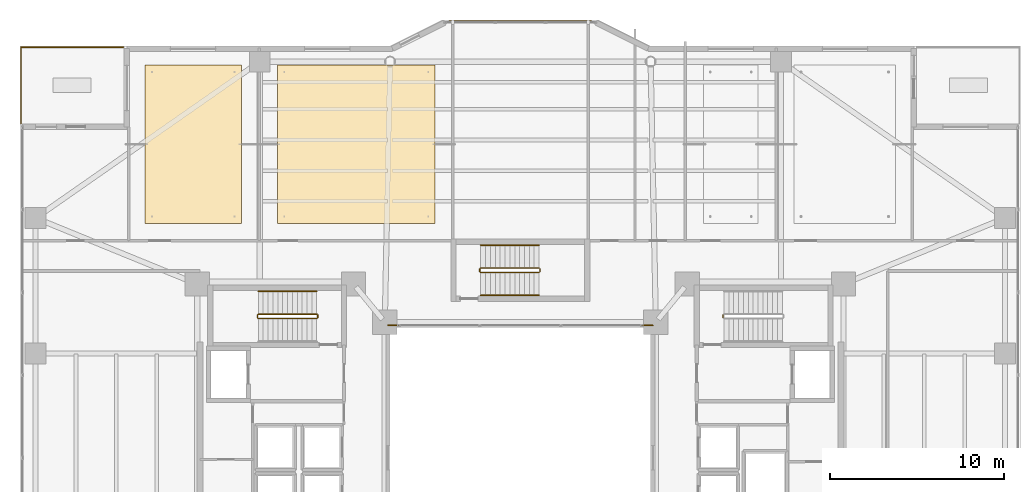
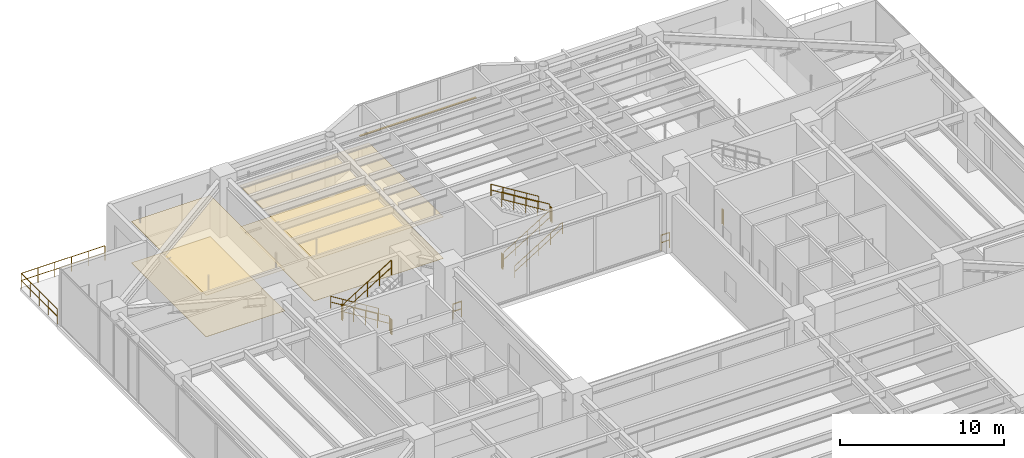
# One storey, part 38 of 39: 16 railings, 4 coverings, 1 shading device.
"""IFC4 building model written with IfcOpenShell, lengths in metres."""

from ifc_helpers import new_model, si_unit, direction, frame, origin, origin_2d, place, context, subcontext, project, spatial, polyline, rectangle, circle, outline, extrude, material, layer, layer_set, material_profile, profile_set, type_object, element, save


model = new_model("IFC4")

# Units and contexts
model_context = context("Model", 3, precision=1e-05, world=origin(), true_north=direction((0.0, 1.0)))
body_context = subcontext(model_context, "Body", "Model", "MODEL_VIEW")
ifc_project = project(units=[si_unit("LENGTHUNIT", "METRE"), si_unit("AREAUNIT", "SQUARE_METRE"), si_unit("VOLUMEUNIT", "CUBIC_METRE"), si_unit("PLANEANGLEUNIT", "RADIAN"), si_unit("MASSUNIT", "GRAM", prefix="KILO")], contexts=[model_context])

# Site, building, storey
site_placement = place(None, origin())
site = spatial("IfcSite", under=ifc_project, at=site_placement, CompositionType="ELEMENT")
building_placement = place(site_placement, origin())
building = spatial("IfcBuilding", under=site, at=building_placement, Name="Tarnavaz Court Tower", CompositionType="ELEMENT")
storey_placement = place(building_placement, frame((0.0, 0.0, 68.699951171875)))
storey = spatial("IfcBuildingStorey", under=building, at=storey_placement, Name="L18", CompositionType="ELEMENT", Elevation=68.699951171875)

# Coverings
ifc_material_1 = material(Name="Perforated Gypsum Acoustic Ceiling Tile", Category="masonry")
ifc_layer_1 = layer(ifc_material_1, 0.02490234375)
ifc_layer_set_1 = layer_set([ifc_layer_1], Name="Perforated Gypsum Acoustic Ceiling Tile")
covering_type_1 = type_object("IfcCoveringType", Name="CV-CEIL-AC", PredefinedType="CEILING", material=ifc_layer_set_1)
covering_1_placement = place(storey_placement, frame((0.0, 0.0, 3.080078125)))
element("IfcCovering", 1, at=covering_1_placement, inside=storey, type_object=covering_type_1, Name="L18 Sky Transfer Reception Concourse Suspended Acoustic Ceiling", PredefinedType="CEILING", context=body_context, shape_type="SweptSolid", body=[
    extrude(outline(polyline([(-21.60009765625, 13.5), (-16.047119140625, 13.5), (-16.047119140625, 22.60009765625), (-21.60009765625, 22.60009765625), (-21.60009765625, 13.5)])), origin(), (0.0, 0.0, 1.0), 0.02490234375),
])
covering_2_placement = place(storey_placement, frame((0.0, 0.0, 3.080078125)))
element("IfcCovering", 2, at=covering_2_placement, inside=storey, type_object=covering_type_1, Name="L18 Residents Reading Library Suspended Acoustic Ceiling", PredefinedType="CEILING", context=body_context, shape_type="SweptSolid", body=[
    extrude(outline(polyline([(-13.987060546875, 13.5), (-4.89990234375, 13.5), (-4.89990234375, 22.60009765625), (-13.987060546875, 22.60009765625), (-13.987060546875, 13.5)])), origin(), (0.0, 0.0, 1.0), 0.02490234375),
])
ifc_material_2 = material(Name="Glazed Khorasan Porcelain Floor Tile", Category="masonry")
ifc_layer_2 = layer(ifc_material_2, 0.02001953125)
ifc_layer_set_2 = layer_set([ifc_layer_2], Name="Glazed Khorasan Porcelain Floor Tile")
covering_type_2 = type_object("IfcCoveringType", Name="CV-FLR-PORC", PredefinedType="FLOORING", material=ifc_layer_set_2)
covering_3_placement = place(storey_placement, origin())
element("IfcCovering", 3, at=covering_3_placement, inside=storey, type_object=covering_type_2, Name="L18 Sky Transfer Reception Concourse Porcelain Floor Finish", PredefinedType="FLOORING", context=body_context, shape_type="SweptSolid", body=[
    extrude(outline(polyline([(-21.60009765625, 13.5), (-16.047119140625, 13.5), (-16.047119140625, 22.60009765625), (-21.60009765625, 22.60009765625), (-21.60009765625, 13.5)])), origin(), (0.0, 0.0, 1.0), 0.02001953125),
])
covering_4_placement = place(storey_placement, origin())
element("IfcCovering", 4, at=covering_4_placement, inside=storey, type_object=covering_type_2, Name="L18 Residents Reading Library Porcelain Floor Finish", PredefinedType="FLOORING", context=body_context, shape_type="SweptSolid", body=[
    extrude(outline(polyline([(-13.987060546875, 13.5), (-4.89990234375, 13.5), (-4.89990234375, 22.60009765625), (-13.987060546875, 22.60009765625), (-13.987060546875, 13.5)])), origin(), (0.0, 0.0, 1.0), 0.02001953125),
])

# Railings
ifc_material_3 = material(Name="Anodised Aluminium 6063-T6 and Laminated Safety Glass", Category="aluminium")
railing_type_1 = type_object("IfcRailingType", Name="RL-BAL-1120", PredefinedType="BALUSTRADE", material=ifc_material_3)
for number, where, name in (
    (5, (7.6201171875, 7.6201171875, 0.0), "L18 Courtyard Corner Balustrade N-A"),
    (6, (-7.02001953125, 7.6201171875, 0.0), "L18 Courtyard Corner Balustrade N-B"),
):
    element("IfcRailing", number, at=place(storey_placement, frame(where)), inside=storey, type_object=railing_type_1, Name=name, PredefinedType="BALUSTRADE", context=body_context, shape_type="SweptSolid", body=[
        extrude(circle(Radius=0.02392578125, at=origin_2d()), frame((0.0, 0.0, 1.1259765625), z_axis=(-1.0, 0.0, 0.0), x_axis=(0.0, -1.0, 0.0)), (0.0, 0.0, 1.0), 0.60009765625),
        extrude(circle(Radius=0.02392578125, at=origin_2d()), frame((0.0, 0.0, 0.574951171875), z_axis=(-1.0, 0.0, 0.0), x_axis=(0.0, -1.0, 0.0)), (0.0, 0.0, 1.0), 0.60009765625),
        extrude(circle(Radius=0.02099609375, at=origin_2d()), origin(), (0.0, 0.0, 1.0), 1.101806640625),
        extrude(circle(Radius=0.02099609375, at=origin_2d()), frame((-0.60009765625, 0.0, 0.0)), (0.0, 0.0, 1.0), 1.101806640625),
    ])
railing_1_placement = place(storey_placement, frame((-22.860107421875, 23.639892578125, 0.0)))
element("IfcRailing", 7, at=railing_1_placement, inside=storey, type_object=railing_type_1, Name="L18 Terrace 2 N Perimeter Balustrade", PredefinedType="BALUSTRADE", context=body_context, shape_type="SweptSolid", body=[
    extrude(circle(Radius=0.02392578125, at=origin_2d()), frame((0.0, 0.0, 1.09619140625), z_axis=(-1.0, 0.0, 0.0), x_axis=(0.0, -1.0, 0.0)), (0.0, 0.0, 1.0), 5.8798828125),
    extrude(circle(Radius=0.02392578125, at=origin_2d()), frame((0.0, 0.0, 0.56005859375), z_axis=(-1.0, 0.0, 0.0), x_axis=(0.0, -1.0, 0.0)), (0.0, 0.0, 1.0), 5.8798828125),
    extrude(circle(Radius=0.02099609375, at=origin_2d()), origin(), (0.0, 0.0, 1.0), 1.072021484375),
    extrude(circle(Radius=0.02099609375, at=origin_2d()), frame((-1.176025390625, 0.0, 0.0)), (0.0, 0.0, 1.0), 1.072021484375),
    extrude(circle(Radius=0.02099609375, at=origin_2d()), frame((-2.35205078125, 0.0, 0.0)), (0.0, 0.0, 1.0), 1.072021484375),
    extrude(circle(Radius=0.02099609375, at=origin_2d()), frame((-3.52783203125, 0.0, 0.0)), (0.0, 0.0, 1.0), 1.072021484375),
    extrude(circle(Radius=0.02099609375, at=origin_2d()), frame((-4.703857421875, 0.0, 0.0)), (0.0, 0.0, 1.0), 1.072021484375),
    extrude(circle(Radius=0.02099609375, at=origin_2d()), frame((-5.8798828125, 0.0, 0.0)), (0.0, 0.0, 1.0), 1.072021484375),
])
railing_2_placement = place(storey_placement, frame((-28.739990234375, 23.639892578125, 0.0)))
element("IfcRailing", 8, at=railing_2_placement, inside=storey, type_object=railing_type_1, Name="L18 Terrace 2 W Perimeter Balustrade", PredefinedType="BALUSTRADE", context=body_context, shape_type="SweptSolid", body=[
    extrude(circle(Radius=0.02392578125, at=origin_2d()), frame((0.0, 0.0, 1.09619140625), z_axis=(0.0, -1.0, 0.0), x_axis=(1.0, 0.0, 0.0)), (0.0, 0.0, 1.0), 4.3798828125),
    extrude(circle(Radius=0.02392578125, at=origin_2d()), frame((0.0, 0.0, 0.56005859375), z_axis=(0.0, -1.0, 0.0), x_axis=(1.0, 0.0, 0.0)), (0.0, 0.0, 1.0), 4.3798828125),
    extrude(circle(Radius=0.02099609375, at=origin_2d()), origin(), (0.0, 0.0, 1.0), 1.072021484375),
    extrude(circle(Radius=0.02099609375, at=origin_2d()), frame((0.0, -1.094970703125, 0.0)), (0.0, 0.0, 1.0), 1.072021484375),
    extrude(circle(Radius=0.02099609375, at=origin_2d()), frame((0.0, -2.18994140625, 0.0)), (0.0, 0.0, 1.0), 1.072021484375),
    extrude(circle(Radius=0.02099609375, at=origin_2d()), frame((0.0, -3.284912109375, 0.0)), (0.0, 0.0, 1.0), 1.072021484375),
    extrude(circle(Radius=0.02099609375, at=origin_2d()), frame((0.0, -4.3798828125, 0.0)), (0.0, 0.0, 1.0), 1.072021484375),
])
ifc_material_4 = material(Name="Brushed Stainless Steel", Category="steel")
railing_type_2 = type_object("IfcRailingType", Name="RL-HANDRAIL-900", PredefinedType="HANDRAIL", material=ifc_material_4)
railing_3_placement = place(storey_placement, frame((-11.719970703125, 9.590087890625, 0.173095703125)))
element("IfcRailing", 9, at=railing_3_placement, inside=storey, type_object=railing_type_2, Name="L18 ST-W1 stair handrail 1", PredefinedType="HANDRAIL", context=body_context, shape_type="SweptSolid", body=[
    extrude(circle(Radius=0.02392578125, at=origin_2d()), frame((0.0, 0.0, 0.8759765625), z_axis=(-0.850623216509, 0.0, 0.525775754039), x_axis=(0.0, -1.0, 0.0)), (0.0, 0.0, 1.0), 3.9501953125),
    extrude(circle(Radius=0.02392578125, at=origin_2d()), frame((0.0, 0.0, 0.449951171875), z_axis=(-0.850623216509, 0.0, 0.525775754039), x_axis=(0.0, -1.0, 0.0)), (0.0, 0.0, 1.0), 3.9501953125),
    extrude(circle(Radius=0.02099609375, at=origin_2d()), origin(), (0.0, 0.0, 1.0), 0.851806640625),
    extrude(circle(Radius=0.02099609375, at=origin_2d()), frame((-0.840087890625, 0.0, 0.519287109375)), (0.0, 0.0, 1.0), 0.851806640625),
    extrude(circle(Radius=0.02099609375, at=origin_2d()), frame((-1.68017578125, 0.0, 1.03857421875)), (0.0, 0.0, 1.0), 0.851806640625),
    extrude(circle(Radius=0.02099609375, at=origin_2d()), frame((-2.52001953125, 0.0, 1.5576171875)), (0.0, 0.0, 1.0), 0.851806640625),
    extrude(circle(Radius=0.02099609375, at=origin_2d()), frame((-3.360107421875, 0.0, 2.076904296875)), (0.0, 0.0, 1.0), 0.851806640625),
])
railing_4_placement = place(storey_placement, frame((-2.280029296875, 9.35009765625, 0.173095703125)))
element("IfcRailing", 10, at=railing_4_placement, inside=storey, type_object=railing_type_2, Name="L18 ST-N1 stair handrail 1", PredefinedType="HANDRAIL", context=body_context, shape_type="SweptSolid", body=[
    extrude(circle(Radius=0.02392578125, at=origin_2d()), frame((0.0, 0.0, 0.8759765625), z_axis=(0.850623216509, 0.0, 0.525775754039), x_axis=(0.0, 1.0, 0.0)), (0.0, 0.0, 1.0), 3.9501953125),
    extrude(circle(Radius=0.02392578125, at=origin_2d()), frame((0.0, 0.0, 0.449951171875), z_axis=(0.850623216509, 0.0, 0.525775754039), x_axis=(0.0, 1.0, 0.0)), (0.0, 0.0, 1.0), 3.9501953125),
    extrude(circle(Radius=0.02099609375, at=origin_2d()), origin(), (0.0, 0.0, 1.0), 0.851806640625),
    extrude(circle(Radius=0.02099609375, at=origin_2d()), frame((0.840087890625, 0.0, 0.519287109375)), (0.0, 0.0, 1.0), 0.851806640625),
    extrude(circle(Radius=0.02099609375, at=origin_2d()), frame((1.68017578125, 0.0, 1.03857421875)), (0.0, 0.0, 1.0), 0.851806640625),
    extrude(circle(Radius=0.02099609375, at=origin_2d()), frame((2.52001953125, 0.0, 1.5576171875)), (0.0, 0.0, 1.0), 0.851806640625),
    extrude(circle(Radius=0.02099609375, at=origin_2d()), frame((3.360107421875, 0.0, 2.076904296875)), (0.0, 0.0, 1.0), 0.851806640625),
])
railing_5_placement = place(storey_placement, frame((1.080078125, 12.239990234375, 2.423095703125)))
element("IfcRailing", 11, at=railing_5_placement, inside=storey, type_object=railing_type_2, Name="L18 ST-N1 stair handrail 2", PredefinedType="HANDRAIL", context=body_context, shape_type="SweptSolid", body=[
    extrude(circle(Radius=0.02392578125, at=origin_2d()), frame((0.0, 0.0, 0.8759765625), z_axis=(-0.850623216509, 0.0, 0.525775754039), x_axis=(0.0, -1.0, 0.0)), (0.0, 0.0, 1.0), 3.9501953125),
    extrude(circle(Radius=0.02392578125, at=origin_2d()), frame((0.0, 0.0, 0.449951171875), z_axis=(-0.850623216509, 0.0, 0.525775754039), x_axis=(0.0, -1.0, 0.0)), (0.0, 0.0, 1.0), 3.9501953125),
    extrude(circle(Radius=0.02099609375, at=origin_2d()), origin(), (0.0, 0.0, 1.0), 0.851806640625),
    extrude(circle(Radius=0.02099609375, at=origin_2d()), frame((-0.840087890625, 0.0, 0.519287109375)), (0.0, 0.0, 1.0), 0.851806640625),
    extrude(circle(Radius=0.02099609375, at=origin_2d()), frame((-1.68017578125, 0.0, 1.03857421875)), (0.0, 0.0, 1.0), 0.851806640625),
    extrude(circle(Radius=0.02099609375, at=origin_2d()), frame((-2.52001953125, 0.0, 1.5576171875)), (0.0, 0.0, 1.0), 0.851806640625),
    extrude(circle(Radius=0.02099609375, at=origin_2d()), frame((-3.360107421875, 0.0, 2.076904296875)), (0.0, 0.0, 1.0), 0.851806640625),
])
ifc_material_5 = material(Name="Galvanized Painted Tubular Steel", Category="steel")
railing_type_3 = type_object("IfcRailingType", Name="RL-STGUARD-1120", PredefinedType="GUARDRAIL", material=ifc_material_5)
railing_6_placement = place(storey_placement, frame((-11.719970703125, 8.27001953125, 0.173095703125)))
element("IfcRailing", 12, at=railing_6_placement, inside=storey, type_object=railing_type_3, Name="L18 ST-W1 stair guard 1", PredefinedType="GUARDRAIL", context=body_context, shape_type="SweptSolid", body=[
    extrude(circle(Radius=0.02392578125, at=origin_2d()), frame((0.0, 0.0, 1.09619140625), z_axis=(-0.850623216509, 0.0, 0.525775754039), x_axis=(0.0, -1.0, 0.0)), (0.0, 0.0, 1.0), 3.9501953125),
    extrude(circle(Radius=0.02392578125, at=origin_2d()), frame((0.0, 0.0, 0.56005859375), z_axis=(-0.850623216509, 0.0, 0.525775754039), x_axis=(0.0, -1.0, 0.0)), (0.0, 0.0, 1.0), 3.9501953125),
    extrude(circle(Radius=0.02099609375, at=origin_2d()), origin(), (0.0, 0.0, 1.0), 1.072021484375),
    extrude(circle(Radius=0.02099609375, at=origin_2d()), frame((-0.840087890625, 0.0, 0.519287109375)), (0.0, 0.0, 1.0), 1.072021484375),
    extrude(circle(Radius=0.02099609375, at=origin_2d()), frame((-1.68017578125, 0.0, 1.03857421875)), (0.0, 0.0, 1.0), 1.072021484375),
    extrude(circle(Radius=0.02099609375, at=origin_2d()), frame((-2.52001953125, 0.0, 1.5576171875)), (0.0, 0.0, 1.0), 1.072021484375),
    extrude(circle(Radius=0.02099609375, at=origin_2d()), frame((-3.360107421875, 0.0, 2.076904296875)), (0.0, 0.0, 1.0), 1.072021484375),
])
railing_7_placement = place(storey_placement, frame((-15.1298828125, 8.219970703125, 2.25)))
element("IfcRailing", 13, at=railing_7_placement, inside=storey, type_object=railing_type_3, Name="L18 ST-W1 stair guard 2", PredefinedType="GUARDRAIL", context=body_context, shape_type="SweptSolid", body=[
    extrude(circle(Radius=0.02392578125, at=origin_2d()), frame((0.0, 0.0, 1.09619140625), z_axis=(0.0, -1.0, 0.0), x_axis=(1.0, 0.0, 0.0)), (0.0, 0.0, 1.0), 0.14990234375),
    extrude(circle(Radius=0.02392578125, at=origin_2d()), frame((0.0, 0.0, 0.56005859375), z_axis=(0.0, -1.0, 0.0), x_axis=(1.0, 0.0, 0.0)), (0.0, 0.0, 1.0), 0.14990234375),
    extrude(circle(Radius=0.02099609375, at=origin_2d()), origin(), (0.0, 0.0, 1.0), 1.072021484375),
    extrude(circle(Radius=0.02099609375, at=origin_2d()), frame((0.0, -0.14990234375, 0.0)), (0.0, 0.0, 1.0), 1.072021484375),
])
railing_8_placement = place(storey_placement, frame((-15.080078125, 8.02001953125, 2.423095703125)))
element("IfcRailing", 14, at=railing_8_placement, inside=storey, type_object=railing_type_3, Name="L18 ST-W1 stair guard 3", PredefinedType="GUARDRAIL", context=body_context, shape_type="SweptSolid", body=[
    extrude(circle(Radius=0.02392578125, at=origin_2d()), frame((0.0, 0.0, 1.09619140625), z_axis=(0.850623216509, 0.0, 0.525775754039), x_axis=(0.0, 1.0, 0.0)), (0.0, 0.0, 1.0), 3.9501953125),
    extrude(circle(Radius=0.02392578125, at=origin_2d()), frame((0.0, 0.0, 0.56005859375), z_axis=(0.850623216509, 0.0, 0.525775754039), x_axis=(0.0, 1.0, 0.0)), (0.0, 0.0, 1.0), 3.9501953125),
    extrude(circle(Radius=0.02099609375, at=origin_2d()), origin(), (0.0, 0.0, 1.0), 1.072021484375),
    extrude(circle(Radius=0.02099609375, at=origin_2d()), frame((0.840087890625, 0.0, 0.519287109375)), (0.0, 0.0, 1.0), 1.072021484375),
    extrude(circle(Radius=0.02099609375, at=origin_2d()), frame((1.68017578125, 0.0, 1.03857421875)), (0.0, 0.0, 1.0), 1.072021484375),
    extrude(circle(Radius=0.02099609375, at=origin_2d()), frame((2.52001953125, 0.0, 1.5576171875)), (0.0, 0.0, 1.0), 1.072021484375),
    extrude(circle(Radius=0.02099609375, at=origin_2d()), frame((3.360107421875, 0.0, 2.076904296875)), (0.0, 0.0, 1.0), 1.072021484375),
])
railing_9_placement = place(storey_placement, frame((-11.669921875, 8.219970703125, 0.0)))
element("IfcRailing", 15, at=railing_9_placement, inside=storey, type_object=railing_type_3, Name="L18 ST-W1 stair guard 4", PredefinedType="GUARDRAIL", context=body_context, shape_type="SweptSolid", body=[
    extrude(circle(Radius=0.02392578125, at=origin_2d()), frame((0.0, 0.0, 1.09619140625), z_axis=(0.0, -1.0, 0.0), x_axis=(1.0, 0.0, 0.0)), (0.0, 0.0, 1.0), 0.14990234375),
    extrude(circle(Radius=0.02392578125, at=origin_2d()), frame((0.0, 0.0, 0.56005859375), z_axis=(0.0, -1.0, 0.0), x_axis=(1.0, 0.0, 0.0)), (0.0, 0.0, 1.0), 0.14990234375),
    extrude(circle(Radius=0.02099609375, at=origin_2d()), origin(), (0.0, 0.0, 1.0), 1.072021484375),
    extrude(circle(Radius=0.02099609375, at=origin_2d()), frame((0.0, -0.14990234375, 0.0)), (0.0, 0.0, 1.0), 1.072021484375),
])
railing_10_placement = place(storey_placement, frame((11.669921875, 8.070068359375, 0.0)))
element("IfcRailing", 16, at=railing_10_placement, inside=storey, type_object=railing_type_3, Name="L18 ST-E1 stair guard 4", PredefinedType="GUARDRAIL", context=body_context, shape_type="SweptSolid", body=[
    extrude(circle(Radius=0.02392578125, at=origin_2d()), frame((0.0, 0.0, 1.09619140625), z_axis=(0.0, 1.0, 0.0), x_axis=(-1.0, 0.0, 0.0)), (0.0, 0.0, 1.0), 0.14990234375),
    extrude(circle(Radius=0.02392578125, at=origin_2d()), frame((0.0, 0.0, 0.56005859375), z_axis=(0.0, 1.0, 0.0), x_axis=(-1.0, 0.0, 0.0)), (0.0, 0.0, 1.0), 0.14990234375),
    extrude(circle(Radius=0.02099609375, at=origin_2d()), origin(), (0.0, 0.0, 1.0), 1.072021484375),
    extrude(circle(Radius=0.02099609375, at=origin_2d()), frame((0.0, 0.14990234375, 0.0)), (0.0, 0.0, 1.0), 1.072021484375),
])
railing_11_placement = place(storey_placement, frame((-2.280029296875, 10.669921875, 0.173095703125)))
element("IfcRailing", 17, at=railing_11_placement, inside=storey, type_object=railing_type_3, Name="L18 ST-N1 stair guard 1", PredefinedType="GUARDRAIL", context=body_context, shape_type="SweptSolid", body=[
    extrude(circle(Radius=0.02392578125, at=origin_2d()), frame((0.0, 0.0, 1.09619140625), z_axis=(0.850623216509, 0.0, 0.525775754039), x_axis=(0.0, 1.0, 0.0)), (0.0, 0.0, 1.0), 3.9501953125),
    extrude(circle(Radius=0.02392578125, at=origin_2d()), frame((0.0, 0.0, 0.56005859375), z_axis=(0.850623216509, 0.0, 0.525775754039), x_axis=(0.0, 1.0, 0.0)), (0.0, 0.0, 1.0), 3.9501953125),
    extrude(circle(Radius=0.02099609375, at=origin_2d()), origin(), (0.0, 0.0, 1.0), 1.072021484375),
    extrude(circle(Radius=0.02099609375, at=origin_2d()), frame((0.840087890625, 0.0, 0.519287109375)), (0.0, 0.0, 1.0), 1.072021484375),
    extrude(circle(Radius=0.02099609375, at=origin_2d()), frame((1.68017578125, 0.0, 1.03857421875)), (0.0, 0.0, 1.0), 1.072021484375),
    extrude(circle(Radius=0.02099609375, at=origin_2d()), frame((2.52001953125, 0.0, 1.5576171875)), (0.0, 0.0, 1.0), 1.072021484375),
    extrude(circle(Radius=0.02099609375, at=origin_2d()), frame((3.360107421875, 0.0, 2.076904296875)), (0.0, 0.0, 1.0), 1.072021484375),
])
railing_12_placement = place(storey_placement, frame((1.1298828125, 10.719970703125, 2.25)))
element("IfcRailing", 18, at=railing_12_placement, inside=storey, type_object=railing_type_3, Name="L18 ST-N1 stair guard 2", PredefinedType="GUARDRAIL", context=body_context, shape_type="SweptSolid", body=[
    extrude(circle(Radius=0.02392578125, at=origin_2d()), frame((0.0, 0.0, 1.09619140625), z_axis=(0.0, 1.0, 0.0), x_axis=(-1.0, 0.0, 0.0)), (0.0, 0.0, 1.0), 0.150146484375),
    extrude(circle(Radius=0.02392578125, at=origin_2d()), frame((0.0, 0.0, 0.56005859375), z_axis=(0.0, 1.0, 0.0), x_axis=(-1.0, 0.0, 0.0)), (0.0, 0.0, 1.0), 0.150146484375),
    extrude(circle(Radius=0.02099609375, at=origin_2d()), origin(), (0.0, 0.0, 1.0), 1.072021484375),
    extrude(circle(Radius=0.02099609375, at=origin_2d()), frame((0.0, 0.150146484375, 0.0)), (0.0, 0.0, 1.0), 1.072021484375),
])
railing_13_placement = place(storey_placement, frame((1.080078125, 10.919921875, 2.423095703125)))
element("IfcRailing", 19, at=railing_13_placement, inside=storey, type_object=railing_type_3, Name="L18 ST-N1 stair guard 3", PredefinedType="GUARDRAIL", context=body_context, shape_type="SweptSolid", body=[
    extrude(circle(Radius=0.02392578125, at=origin_2d()), frame((0.0, 0.0, 1.09619140625), z_axis=(-0.850623216509, 0.0, 0.525775754039), x_axis=(0.0, -1.0, 0.0)), (0.0, 0.0, 1.0), 3.9501953125),
    extrude(circle(Radius=0.02392578125, at=origin_2d()), frame((0.0, 0.0, 0.56005859375), z_axis=(-0.850623216509, 0.0, 0.525775754039), x_axis=(0.0, -1.0, 0.0)), (0.0, 0.0, 1.0), 3.9501953125),
    extrude(circle(Radius=0.02099609375, at=origin_2d()), origin(), (0.0, 0.0, 1.0), 1.072021484375),
    extrude(circle(Radius=0.02099609375, at=origin_2d()), frame((-0.840087890625, 0.0, 0.519287109375)), (0.0, 0.0, 1.0), 1.072021484375),
    extrude(circle(Radius=0.02099609375, at=origin_2d()), frame((-1.68017578125, 0.0, 1.03857421875)), (0.0, 0.0, 1.0), 1.072021484375),
    extrude(circle(Radius=0.02099609375, at=origin_2d()), frame((-2.52001953125, 0.0, 1.5576171875)), (0.0, 0.0, 1.0), 1.072021484375),
    extrude(circle(Radius=0.02099609375, at=origin_2d()), frame((-3.360107421875, 0.0, 2.076904296875)), (0.0, 0.0, 1.0), 1.072021484375),
])
railing_14_placement = place(storey_placement, frame((-2.330078125, 10.719970703125, 0.0)))
element("IfcRailing", 20, at=railing_14_placement, inside=storey, type_object=railing_type_3, Name="L18 ST-N1 stair guard 4", PredefinedType="GUARDRAIL", context=body_context, shape_type="SweptSolid", body=[
    extrude(circle(Radius=0.02392578125, at=origin_2d()), frame((0.0, 0.0, 1.09619140625), z_axis=(0.0, 1.0, 0.0), x_axis=(-1.0, 0.0, 0.0)), (0.0, 0.0, 1.0), 0.150146484375),
    extrude(circle(Radius=0.02392578125, at=origin_2d()), frame((0.0, 0.0, 0.56005859375), z_axis=(0.0, 1.0, 0.0), x_axis=(-1.0, 0.0, 0.0)), (0.0, 0.0, 1.0), 0.150146484375),
    extrude(circle(Radius=0.02099609375, at=origin_2d()), origin(), (0.0, 0.0, 1.0), 1.072021484375),
    extrude(circle(Radius=0.02099609375, at=origin_2d()), frame((0.0, 0.150146484375, 0.0)), (0.0, 0.0, 1.0), 1.072021484375),
])

# Shading device
ifc_material_6 = material(Name="Kiln-Fired Khorasan Terracotta Ceramic", Category="masonry")
ifc_material_profile = material_profile(ifc_material_6, rectangle(XDim=0.1201171875, YDim=0.06005859375, at=origin_2d()), Name="TC BAGUETTE 120X60")
ifc_profile_set = profile_set([ifc_material_profile], Name="Kiln-Fired Khorasan Terracotta Ceramic")
shading_device_type = type_object("IfcShadingDeviceType", Name="SD-BAG-120", PredefinedType="USERDEFINED", material=ifc_profile_set)
shading_device_placement = place(storey_placement, frame((-4.10009765625, 25.110107421875, 1.800048828125), z_axis=(1.0, 0.0, 0.0), x_axis=(0.0, 1.0, 0.0)))
element("IfcShadingDevice", 21, at=shading_device_placement, inside=storey, type_object=shading_device_type, Name="L18 Terracotta Baguette Screen PBG7", ObjectType="BAGUETTE", PredefinedType="USERDEFINED", context=body_context, shape_type="SweptSolid", body=[
    extrude(rectangle(XDim=0.1201171875, YDim=0.06005859375, at=origin_2d()), origin(), (0.0, 0.0, 1.0), 8.2001953125),
])

save(model, "model.ifc")
